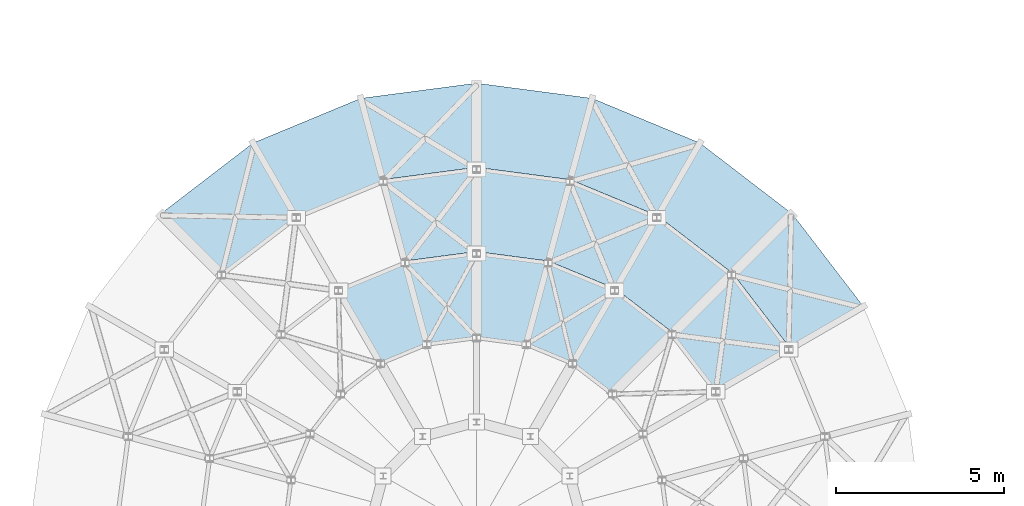
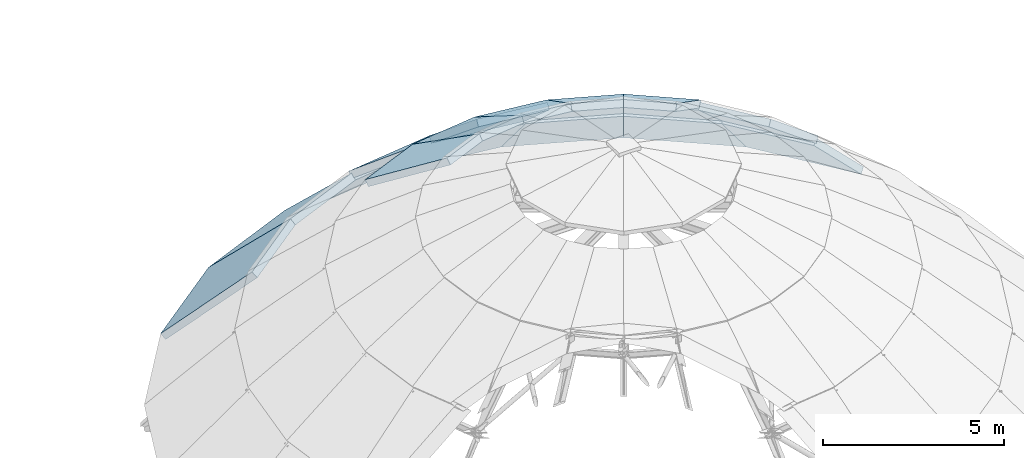
# One storey, part 30 of 31: 17 roofs.
"""IFC4 building model written with IfcOpenShell, lengths in metres."""

from ifc_helpers import new_model, si_unit, direction, frame, origin, place, context, subcontext, project, spatial, polyline, outline, extrude, material, layer, layer_set, type_object, element, save


model = new_model("IFC4")

# Units and contexts
model_context = context("Model", 3, precision=1e-05, world=origin(), true_north=direction((0.0, 1.0)))
body_context = subcontext(model_context, "Body", "Model", "MODEL_VIEW")
ifc_project = project(units=[si_unit("LENGTHUNIT", "METRE"), si_unit("AREAUNIT", "SQUARE_METRE"), si_unit("VOLUMEUNIT", "CUBIC_METRE"), si_unit("PLANEANGLEUNIT", "RADIAN"), si_unit("MASSUNIT", "GRAM", prefix="KILO")], contexts=[model_context])

# Site, building, storey
site_placement = place(None, origin())
site = spatial("IfcSite", under=ifc_project, at=site_placement, CompositionType="ELEMENT")
building_placement = place(site_placement, origin())
building = spatial("IfcBuilding", under=site, at=building_placement, Name="Clarverna Civic Hall", CompositionType="ELEMENT")
storey_placement = place(building_placement, frame((0.0, 0.0, 31.199951171875)))
storey = spatial("IfcBuildingStorey", under=building, at=storey_placement, Name="RF", CompositionType="ELEMENT", Elevation=31.199951171875)

# Roofs
ifc_material = material(Name="Standing-Seam Patinated Bronze Dome Roof Cladding")
ifc_layer = layer(ifc_material, 0.219970703125)
ifc_layer_set = layer_set([ifc_layer], Name="Standing-Seam Patinated Bronze Dome Roof Cladding")
roof_type = type_object("IfcRoofType", Name="RF-DM1", PredefinedType="DOME_ROOF", material=ifc_layer_set)
roof_1_placement = place(storey_placement, frame((94.283447265625, 65.6298828125, -9.97998046875), z_axis=(0.556895750862, 0.427305903633, 0.71223366067), x_axis=(-0.608739806228, 0.793369931505, -9.890053e-06)))
element("IfcRoof", 1, at=roof_1_placement, inside=storey, type_object=roof_type, Name="RF-DM1-003", PredefinedType="DOME_ROOF", context=body_context, shape_type="SweptSolid", body=[
    extrude(outline(polyline([(0.0, 0.0), (3.461584869885159, 0.0), (3.1196736496970328, 3.64715002358043), (0.3420640550446773, 3.647062116144733), (0.0, 0.0)])), origin(), (0.0, 0.0, -1.0), 0.219970703125),
])
roof_2_placement = place(storey_placement, frame((92.17626953125, 68.376220703125, -9.97998046875), z_axis=(0.427329131803, 0.556898554874, 0.712217531862), x_axis=(-0.793362785775, 0.608749118827, 2.1799372e-05)))
element("IfcRoof", 2, at=roof_2_placement, inside=storey, type_object=roof_type, Name="RF-DM1-004", PredefinedType="DOME_ROOF", context=body_context, shape_type="SweptSolid", body=[
    extrude(outline(polyline([(0.0, 0.0), (3.4615848685974253, -4.440892098500626e-16), (3.119669432229828, 3.646924163003341), (0.34225352924834285, 3.6471179155320876), (0.0, 0.0)])), origin(), (0.0, 0.0, -1.0), 0.219970703125),
])
roof_3_placement = place(storey_placement, frame((89.429931640625, 70.4833984375, -9.97998046875), z_axis=(0.268632438566, 0.648535839161, 0.712206345292), x_axis=(-0.923876769065, 0.382690103782, -6.989809e-06)))
element("IfcRoof", 3, at=roof_3_placement, inside=storey, type_object=roof_type, Name="RF-DM1-005", PredefinedType="DOME_ROOF", context=body_context, shape_type="SweptSolid", body=[
    extrude(outline(polyline([(0.0, 0.0), (3.4615083742936963, 0.0), (3.119680601741405, 3.646993139675679), (0.34184239171190134, 3.646931011909097), (0.0, 0.0)])), origin(), (0.0, 0.0, -1.0), 0.219970703125),
])
roof_4_placement = place(storey_placement, frame((86.23193359375, 71.80810546875, -9.97998046875), z_axis=(0.091607868671, 0.69594511564, 0.712227768635), x_axis=(-0.991444556995, 0.130528502117, -2.3237971e-05)))
element("IfcRoof", 4, at=roof_4_placement, inside=storey, type_object=roof_type, Name="RF-DM1-006", PredefinedType="DOME_ROOF", context=body_context, shape_type="SweptSolid", body=[
    extrude(outline(polyline([(0.0, 0.0), (3.4615098620844313, 5.551115123125783e-17), (3.11945039966273, 3.6471782779401725), (0.34205600135006564, 3.6469717393021814), (0.0, 0.0)])), origin(), (0.0, 0.0, -1.0), 0.219970703125),
])
roof_5_placement = place(storey_placement, frame((82.800048828125, 72.260009765625, -9.97998046875), z_axis=(-0.09160459966, 0.695947748599, 0.712225616319), x_axis=(-0.991444885392, -0.130526007235, 2.5791065e-05)))
element("IfcRoof", 5, at=roof_5_placement, inside=storey, type_object=roof_type, Name="RF-DM1-007", PredefinedType="DOME_ROOF", context=body_context, shape_type="SweptSolid", body=[
    extrude(outline(polyline([(0.0, 0.0), (3.461509861657329, 0.0), (3.1196959122833774, 3.646949038934215), (0.3420594616097018, 3.6471782776109682), (0.0, 0.0)])), origin(), (0.0, 0.0, -1.0), 0.219970703125),
])
roof_6_placement = place(storey_placement, frame((79.3681640625, 71.80810546875, -9.97998046875), z_axis=(-0.268632438566, 0.648535839161, 0.712206345292), x_axis=(-0.923882008118, -0.382677455611, -6.503713e-06)))
element("IfcRoof", 6, at=roof_6_placement, inside=storey, type_object=roof_type, Name="RF-DM1-008", PredefinedType="DOME_ROOF", context=body_context, shape_type="SweptSolid", body=[
    extrude(outline(polyline([(0.0, 0.0), (3.4617339307850723, 2.220446049250313e-16), (3.119595879392048, 3.646990978571582), (0.34198322581239454, 3.646933171384631), (0.0, 0.0)])), origin(), (0.0, 0.0, -1.0), 0.219970703125),
])
roof_7_placement = place(storey_placement, frame((76.169921875, 70.4833984375, -9.97998046875), z_axis=(-0.427329131803, 0.556898554874, 0.712217531862), x_axis=(-0.793349527738, -0.608766397592, -3.33929e-07)))
element("IfcRoof", 7, at=roof_7_placement, inside=storey, type_object=roof_type, Name="RF-DM1-009", PredefinedType="DOME_ROOF", context=body_context, shape_type="SweptSolid", body=[
    extrude(outline(polyline([(0.0, 0.0), (3.4613911781294218, -2.220446049250313e-16), (3.119442864376805, 3.647022526709849), (0.34183326791952495, 3.6470195587539225), (0.0, 0.0)])), origin(), (0.0, 0.0, -1.0), 0.219970703125),
])
roof_8_placement = place(storey_placement, frame((92.118408203125, 64.3798828125, -7.419921875), z_axis=(0.50586002107, 0.38814257963, 0.770357694166), x_axis=(-0.608749200621, 0.793362723296, 5.230622e-06)))
element("IfcRoof", 8, at=roof_8_placement, inside=storey, type_object=roof_type, Name="RF-DM1-027", PredefinedType="DOME_ROOF", context=body_context, shape_type="SweptSolid", body=[
    extrude(outline(polyline([(0.0, 0.0), (2.808958578954354, 2.220446049250313e-16), (2.4669660620586167, 3.371783380032304), (0.34213137718308084, 3.3718238541913417), (0.0, 0.0)])), origin(), (0.0, 0.0, -1.0), 0.219970703125),
])
roof_9_placement = place(storey_placement, frame((90.408447265625, 66.6083984375, -7.419921875), z_axis=(0.38814257963, 0.50586002107, 0.770357694166), x_axis=(-0.793362723296, 0.608749200621, -5.230622e-06)))
element("IfcRoof", 9, at=roof_9_placement, inside=storey, type_object=roof_type, Name="RF-DM1-028", PredefinedType="DOME_ROOF", context=body_context, shape_type="SweptSolid", body=[
    extrude(outline(polyline([(0.0, 0.0), (2.808958578954354, -2.220446049250313e-16), (2.466827201771273, 3.3718238541913417), (0.34199251689573706, 3.3717833800323036), (0.0, 0.0)])), origin(), (0.0, 0.0, -1.0), 0.219970703125),
])
roof_10_placement = place(storey_placement, frame((88.179931640625, 68.318359375, -7.419921875), z_axis=(0.244002720627, 0.58905802907, 0.770372189733), x_axis=(-0.923872067889, 0.38270145298, -7.873517e-06)))
element("IfcRoof", 10, at=roof_10_placement, inside=storey, type_object=roof_type, Name="RF-DM1-029", PredefinedType="DOME_ROOF", context=body_context, shape_type="SweptSolid", body=[
    extrude(outline(polyline([(0.0, 0.0), (2.8088063249658908, 0.0), (2.4668541786818645, 3.371926699237493), (0.3417180190535503, 3.371865771044381), (0.0, 0.0)])), origin(), (0.0, 0.0, -1.0), 0.219970703125),
])
roof_11_placement = place(storey_placement, frame((85.5849609375, 69.393310546875, -7.419921875), z_axis=(0.083228278894, 0.632131082607, 0.770378704271), x_axis=(-0.991442711304, 0.130542522485, -5.082671e-06)))
element("IfcRoof", 11, at=roof_11_placement, inside=storey, type_object=roof_type, Name="RF-DM1-030", PredefinedType="DOME_ROOF", context=body_context, shape_type="SweptSolid", body=[
    extrude(outline(polyline([(0.0, 0.0), (2.808950653470424, 1.1102230246251565e-16), (2.4669030193622214, 3.3719575293221276), (0.3420359633604138, 3.3719181982408273), (0.0, 0.0)])), origin(), (0.0, 0.0, -1.0), 0.219970703125),
])
roof_12_placement = place(storey_placement, frame((82.800048828125, 69.760009765625, -7.419921875), z_axis=(-0.083224498909, 0.632133921392, 0.770376783273), x_axis=(-0.991443054052, -0.130539919198, 8.255247e-06)))
element("IfcRoof", 12, at=roof_12_placement, inside=storey, type_object=roof_type, Name="RF-DM1-031", PredefinedType="DOME_ROOF", context=body_context, shape_type="SweptSolid", body=[
    extrude(outline(polyline([(0.0, 0.0), (2.808950653370284, 0.0), (2.467156741507095, 3.3718936450173675), (0.3420476339201157, 3.371957529257787), (0.0, 0.0)])), origin(), (0.0, 0.0, -1.0), 0.219970703125),
])
roof_13_placement = place(storey_placement, frame((88.640625, 64.8408203125, -5.27001953125), z_axis=(0.326444236637, 0.425409371595, 0.844074064834), x_axis=(-0.793374880257, 0.608733355386, 3.7654242e-05)))
element("IfcRoof", 13, at=roof_13_placement, inside=storey, type_object=roof_type, Name="RF-DM1-052", PredefinedType="DOME_ROOF", context=body_context, shape_type="SweptSolid", body=[
    extrude(outline(polyline([(0.0, 0.0), (2.15618366809455, 2.220446049250313e-16), (1.8143261646755273, 3.0772030940637873), (0.3419691558555981, 3.077457892962476), (0.0, 0.0)])), origin(), (0.0, 0.0, -1.0), 0.219970703125),
])
roof_14_placement = place(storey_placement, frame((86.929931640625, 66.1533203125, -5.27001953125), z_axis=(0.205177048937, 0.495426628452, 0.844070396596), x_axis=(-0.923885745278, 0.38266843202, -2.8410331e-05)))
element("IfcRoof", 14, at=roof_14_placement, inside=storey, type_object=roof_type, Name="RF-DM1-053", PredefinedType="DOME_ROOF", context=body_context, shape_type="SweptSolid", body=[
    extrude(outline(polyline([(0.0, 0.0), (2.1563298295159923, 0.0), (1.8142150157687398, 3.0773934772111335), (0.3418743308663648, 3.0772012252432583), (0.0, 0.0)])), origin(), (0.0, 0.0, -1.0), 0.219970703125),
])
roof_15_placement = place(storey_placement, frame((84.937744140625, 66.978515625, -5.27001953125), z_axis=(0.069992139782, 0.531615556543, 0.844088858124), x_axis=(-0.991441991966, 0.130547985327, -9.706783e-06)))
element("IfcRoof", 15, at=roof_15_placement, inside=storey, type_object=roof_type, Name="RF-DM1-054", PredefinedType="DOME_ROOF", context=body_context, shape_type="SweptSolid", body=[
    extrude(outline(polyline([(0.0, 0.0), (2.156149391780607, 2.7755575615628914e-17), (1.8140823540192672, 3.077496975983968), (0.3417745087030949, 3.077431290739188), (0.0, 0.0)])), origin(), (0.0, 0.0, -1.0), 0.219970703125),
])
roof_16_placement = place(storey_placement, frame((82.800048828125, 67.260009765625, -5.27001953125), z_axis=(-0.069987165098, 0.531613847882, 0.844090346741), x_axis=(-0.991443696369, -0.13053504082, 6.991752e-06)))
element("IfcRoof", 16, at=roof_16_placement, inside=storey, type_object=roof_type, Name="RF-DM1-055", PredefinedType="DOME_ROOF", context=body_context, shape_type="SweptSolid", body=[
    extrude(outline(polyline([(0.0, 0.0), (2.156391443155808, 0.0), (1.814336487560442, 3.0774539274325523), (0.3420286414389053, 3.077501243581308), (0.0, 0.0)])), origin(), (0.0, 0.0, -1.0), 0.219970703125),
])
roof_17_placement = place(storey_placement, frame((80.662109375, 66.978515625, -5.27001953125), z_axis=(-0.205171791854, 0.495413934541, 0.844079125018), x_axis=(-0.923885744924, -0.382668432875, 2.8409897e-05)))
element("IfcRoof", 17, at=roof_17_placement, inside=storey, type_object=roof_type, Name="RF-DM1-056", PredefinedType="DOME_ROOF", context=body_context, shape_type="SweptSolid", body=[
    extrude(outline(polyline([(0.0, 0.0), (2.1563298295160545, -1.1102230246251565e-16), (1.8142299422923283, 3.0772800852942845), (0.3418892573901213, 3.0774723392502126), (0.0, 0.0)])), origin(), (0.0, 0.0, -1.0), 0.219970703125),
])

save(model, "model.ifc")
